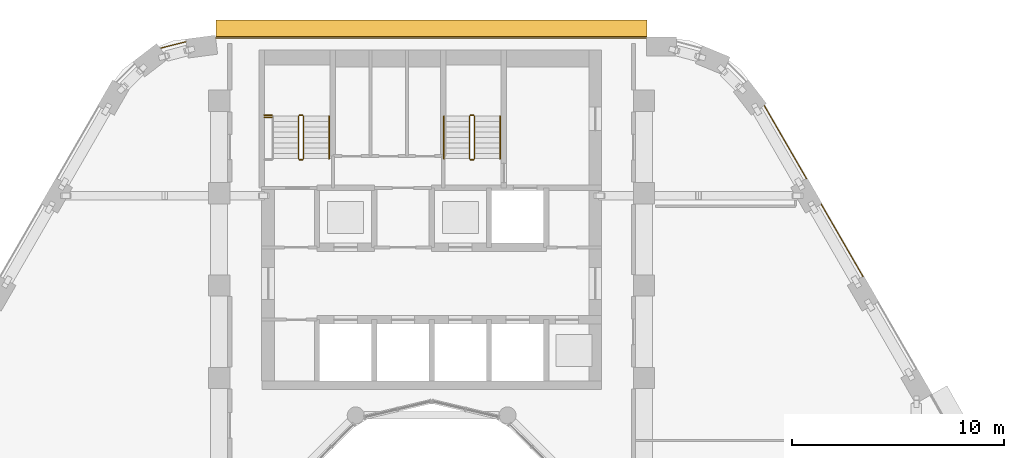
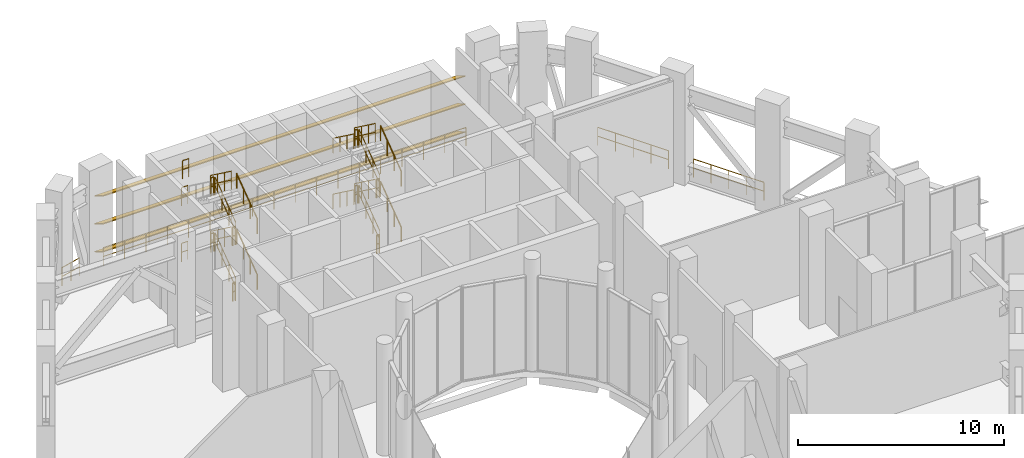
# One storey, part 19 of 21: 29 railings, 3 shading devices.
"""IFC4 building model written with IfcOpenShell, lengths in metres."""

import ifcopenshell
import ifcopenshell.guid

model = None  # the IFC model being written
_history = None  # IfcOwnerHistory: only IFC2X3 demands one
_inside = {}  # id of a spatial element -> (the spatial element, [elements in it])
_under = {}  # id of a project, library or spatial element -> (it, [spatial elements below it])
_declared = {}  # id of a project -> (the project, [libraries it declares])
_typed = {}  # id of a type object -> (the type object, [elements of that type])
_made_of = {}  # id of a material, layer set ... -> (it, [elements and type objects made of it])


def new_model(schema):
    """Start an empty IFC model of exactly this schema.

    Asked for "IFC4X3", IfcOpenShell would pick the latest addendum, in which some entities
    have other attributes; the version numbers below select the first issue.
    IFC2X3 requires an IfcOwnerHistory on every rooted entity: one is made here for all.
    """
    global model, _history
    if schema == "IFC4X3":
        model = ifcopenshell.file(schema_version=(4, 3, 0, 0))
    else:
        model = ifcopenshell.file(schema=schema)
    _inside.clear()
    _under.clear()
    _declared.clear()
    _typed.clear()
    _made_of.clear()
    _history = None
    if model.schema == "IFC2X3":
        org = make("IfcOrganization", Name="unknown")
        user = make(
            "IfcPersonAndOrganization",
            ThePerson=make("IfcPerson", FamilyName="unknown"),
            TheOrganization=org,
        )
        app = make(
            "IfcApplication",
            ApplicationDeveloper=org,
            Version="unknown",
            ApplicationFullName="unknown",
            ApplicationIdentifier="unknown",
        )
        _history = make(
            "IfcOwnerHistory",
            OwningUser=user,
            OwningApplication=app,
            ChangeAction="ADDED",
            CreationDate=0,
        )
    return model


def make(cls, **values):
    """One entity of the class cls with the attributes given. An attribute that is None is left unset."""
    return model.create_entity(
        cls, **{name: value for name, value in values.items() if value is not None}
    )


def rooted(cls, **values):
    """An entity with a GlobalId (a new one), such as an element, a storey or a relation."""
    return make(cls, GlobalId=ifcopenshell.guid.new(), OwnerHistory=_history, **values)


def si_unit(unit_type, name, prefix=None):
    """IfcSIUnit, for example si_unit("LENGTHUNIT", "METRE", prefix="MILLI")."""
    return make("IfcSIUnit", UnitType=unit_type, Prefix=prefix, Name=name)


def assignment(units):
    """IfcUnitAssignment: the units of a project."""
    return None if units is None else make("IfcUnitAssignment", Units=units)


def point(xyz):
    """IfcCartesianPoint."""
    return None if xyz is None else make("IfcCartesianPoint", Coordinates=xyz)


def direction(xyz):
    """IfcDirection."""
    return None if xyz is None else make("IfcDirection", DirectionRatios=xyz)


def frame(location, z_axis=None, x_axis=None):
    """IfcAxis2Placement3D, a coordinate frame: its origin and axes. An axis left out is left unset."""
    return make(
        "IfcAxis2Placement3D",
        Location=point(location),
        Axis=direction(z_axis),
        RefDirection=direction(x_axis),
    )


def frame_2d(location, x_axis=None):
    """IfcAxis2Placement2D, a coordinate frame in the plane: its origin and x axis."""
    return make(
        "IfcAxis2Placement2D", Location=point(location), RefDirection=direction(x_axis)
    )


def origin():
    """The frame at (0, 0, 0) with its axes left unset."""
    return frame((0.0, 0.0, 0.0))


def origin_2d():
    """The frame at (0, 0) in the plane with its x axis left unset."""
    return frame_2d((0.0, 0.0))


def place(relative_to, where):
    """IfcLocalPlacement: puts the frame where relative to a parent placement (None: the world)."""
    return make(
        "IfcLocalPlacement", PlacementRelTo=relative_to, RelativePlacement=where
    )


def context(
    kind, dimensions, precision=None, world=None, true_north=None, identifier=None
):
    """IfcGeometricRepresentationContext, for example the 3D "Model" context."""
    return make(
        "IfcGeometricRepresentationContext",
        ContextIdentifier=identifier,
        ContextType=kind,
        CoordinateSpaceDimension=dimensions,
        Precision=precision,
        WorldCoordinateSystem=world,
        TrueNorth=true_north,
    )


def subcontext(parent, identifier, kind, view, scale=None):
    """IfcGeometricRepresentationSubContext, for example "Body" below "Model"."""
    return make(
        "IfcGeometricRepresentationSubContext",
        ContextIdentifier=identifier,
        ContextType=kind,
        ParentContext=parent,
        TargetScale=scale,
        TargetView=view,
    )


def project(units=None, contexts=None):
    """IfcProject with its units and contexts."""
    return rooted(
        "IfcProject",
        Name="project",
        RepresentationContexts=contexts,
        UnitsInContext=assignment(units),
    )


def spatial(cls, under=None, at=None, **own):
    """A site, building, storey or space (cls), placed at a placement, below another one or the project."""
    s = rooted(cls, ObjectPlacement=at, **own)
    if under is not None:
        _under.setdefault(under.id(), (under, []))[1].append(s)
    return s


def profile(cls, at=None, kind="AREA", **sizes):
    """A parametric profile (cls). Its sizes go by their IFC names, for example OverallWidth=200.0."""
    return make(cls, ProfileType=kind, Position=at, **sizes)


def rectangle(**sizes):
    """IfcRectangleProfileDef."""
    return profile("IfcRectangleProfileDef", **sizes)


def circle(**sizes):
    """IfcCircleProfileDef."""
    return profile("IfcCircleProfileDef", **sizes)


def extrude(swept, where, along, depth):
    """IfcExtrudedAreaSolid: the profile swept, set in the frame where, extruded along a direction by depth."""
    return make(
        "IfcExtrudedAreaSolid",
        SweptArea=swept,
        Position=where,
        ExtrudedDirection=direction(along),
        Depth=depth,
    )


def shape(context_of_items, identifier, shape_type, items):
    """IfcShapeRepresentation: the items that make up one representation, for example the "Body"."""
    return make(
        "IfcShapeRepresentation",
        ContextOfItems=context_of_items,
        RepresentationIdentifier=identifier,
        RepresentationType=shape_type,
        Items=items,
    )


def material(Name=None, Category=None):
    """IfcMaterial."""
    return make("IfcMaterial", Name=Name, Category=Category)


def material_profile(
    of_material, cross_section, Name=None, Category=None, Priority=None
):
    """IfcMaterialProfile: a cross section and its material."""
    return make(
        "IfcMaterialProfile",
        Name=Name,
        Material=of_material,
        Profile=cross_section,
        Priority=Priority,
        Category=Category,
    )


def profile_set(profiles, Name=None, composite=None):
    """IfcMaterialProfileSet."""
    return make(
        "IfcMaterialProfileSet",
        Name=Name,
        MaterialProfiles=profiles,
        CompositeProfile=composite,
    )


def made_of(thing, what):
    """Note that an element or type object is made of a material, layer set ...; save() writes the relation."""
    if what is not None:
        _made_of.setdefault(what.id(), (what, []))[1].append(thing)
    return thing


def type_object(cls, material=None, **own):
    """A type object (cls), such as IfcWallType, which elements share."""
    return made_of(rooted(cls, **own), material)


def element(
    cls,
    number,
    at=None,
    inside=None,
    cuts=None,
    type_object=None,
    material=None,
    context=None,
    identifier="Body",
    shape_type=None,
    held_by="IfcProductDefinitionShape",
    body=None,
    shapes=None,
    **own,
):
    """One element of the class cls, such as IfcWall. Its Tag is "e" and its number.

    at: its placement. inside: the storey or other place that contains it. cuts: it is an
    opening in that element (IfcRelVoidsElement). A single representation is given by context,
    identifier, shape_type and body (its items); several are given by shapes. held_by: the class
    of the entity that holds the representations. save() writes the other relations.
    """
    e = rooted(cls, Tag="e%d" % number, ObjectPlacement=at, **own)
    if body is not None:
        shapes = [shape(context, identifier, shape_type, body)]
    if shapes is not None:
        e.Representation = make(held_by, Representations=shapes)
    if inside is not None:
        _inside.setdefault(inside.id(), (inside, []))[1].append(e)
    if cuts is not None:
        rooted(
            "IfcRelVoidsElement", RelatingBuildingElement=cuts, RelatedOpeningElement=e
        )
    if type_object is not None:
        _typed.setdefault(type_object.id(), (type_object, []))[1].append(e)
    return made_of(e, material)


def aggregate(whole, parts):
    """IfcRelAggregates: a whole, such as a stair, and the parts it consists of."""
    return rooted("IfcRelAggregates", RelatingObject=whole, RelatedObjects=parts)


def save(model, path):
    """Write the relations noted so far, then the file.

    IfcRelAggregates (storeys below a building ...), IfcRelContainedInSpatialStructure (elements
    in a storey), IfcRelDefinesByType, IfcRelAssociatesMaterial and IfcRelDeclares: one each for
    every whole, place, type object, material and project.
    """
    for whole, parts in _under.values():
        aggregate(whole, parts)
    for where, things in _inside.values():
        rooted(
            "IfcRelContainedInSpatialStructure",
            RelatedElements=things,
            RelatingStructure=where,
        )
    for kind, things in _typed.values():
        rooted("IfcRelDefinesByType", RelatedObjects=things, RelatingType=kind)
    for what, things in _made_of.values():
        rooted("IfcRelAssociatesMaterial", RelatedObjects=things, RelatingMaterial=what)
    for by, libraries in _declared.values():
        rooted("IfcRelDeclares", RelatingContext=by, RelatedDefinitions=libraries)
    model.write(path)


model = new_model("IFC4")

# Units and contexts
model_context = context("Model", 3, precision=1e-05, world=origin(), true_north=direction((0.0, 1.0)))
body_context = subcontext(model_context, "Body", "Model", "MODEL_VIEW")
ifc_project = project(units=[si_unit("LENGTHUNIT", "METRE"), si_unit("AREAUNIT", "SQUARE_METRE"), si_unit("VOLUMEUNIT", "CUBIC_METRE"), si_unit("PLANEANGLEUNIT", "RADIAN"), si_unit("MASSUNIT", "GRAM", prefix="KILO")], contexts=[model_context])

# Site, building, storey
site_placement = place(None, origin())
site = spatial("IfcSite", under=ifc_project, at=site_placement, CompositionType="ELEMENT")
building_placement = place(site_placement, origin())
building = spatial("IfcBuilding", under=site, at=building_placement, Name="Nakaniwa Court", CompositionType="ELEMENT")
storey_placement = place(building_placement, frame((0.0, 0.0, 120.60009765625)))
storey = spatial("IfcBuildingStorey", under=building, at=storey_placement, Name="S2", CompositionType="ELEMENT", Elevation=120.60009765625)

# Railings
ifc_material_1 = material(Name="Black powder-coated steel flat bar balustrade S275", Category="steel")
railing_type_1 = type_object("IfcRailingType", Name="Black metal terrace guard 1100", PredefinedType="GUARDRAIL", material=ifc_material_1)
railing_1_placement = place(storey_placement, frame((100.306884765625, 92.7275390625, 0.0)))
element("IfcRailing", 1, at=railing_1_placement, inside=storey, type_object=railing_type_1, Name="S2 refuge band guard 04", PredefinedType="GUARDRAIL", context=body_context, shape_type="SweptSolid", body=[
    extrude(circle(Radius=0.02392578125, at=origin_2d()), frame((0.0, 0.0, 1.076171875), z_axis=(-0.500003583557, 0.866023334807, 0.0), x_axis=(-0.866023334807, -0.500003583557, 0.0)), (0.0, 0.0, 1.0), 3.93408203125),
    extrude(circle(Radius=0.02392578125, at=origin_2d()), frame((0.0, 0.0, 0.550048828125), z_axis=(-0.500003583557, 0.866023334807, 0.0), x_axis=(-0.866023334807, -0.500003583557, 0.0)), (0.0, 0.0, 1.0), 3.93408203125),
    extrude(circle(Radius=0.02099609375, at=origin_2d()), origin(), (0.0, 0.0, 1.0), 1.052001953125),
    extrude(circle(Radius=0.02099609375, at=origin_2d()), frame((-0.49169921875, 0.851806640625, 0.0)), (0.0, 0.0, 1.0), 1.052001953125),
    extrude(circle(Radius=0.02099609375, at=origin_2d()), frame((-0.9833984375, 1.70361328125, 0.0)), (0.0, 0.0, 1.0), 1.052001953125),
    extrude(circle(Radius=0.02099609375, at=origin_2d()), frame((-1.475341796875, 2.55517578125, 0.0)), (0.0, 0.0, 1.0), 1.052001953125),
    extrude(circle(Radius=0.02099609375, at=origin_2d()), frame((-1.967041015625, 3.406982421875, 0.0)), (0.0, 0.0, 1.0), 1.052001953125),
])
railing_2_placement = place(storey_placement, frame((97.643798828125, 97.33984375, 0.0)))
element("IfcRailing", 2, at=railing_2_placement, inside=storey, type_object=railing_type_1, Name="S2 refuge band guard 05", PredefinedType="GUARDRAIL", context=body_context, shape_type="SweptSolid", body=[
    extrude(circle(Radius=0.02392578125, at=origin_2d()), frame((0.0, 0.0, 1.076171875), z_axis=(-0.499997676703, 0.866026745137, 0.0), x_axis=(-0.866026745137, -0.499997676703, 0.0)), (0.0, 0.0, 1.0), 3.96728515625),
    extrude(circle(Radius=0.02392578125, at=origin_2d()), frame((0.0, 0.0, 0.550048828125), z_axis=(-0.499997676703, 0.866026745137, 0.0), x_axis=(-0.866026745137, -0.499997676703, 0.0)), (0.0, 0.0, 1.0), 3.96728515625),
    extrude(circle(Radius=0.02099609375, at=origin_2d()), origin(), (0.0, 0.0, 1.0), 1.052001953125),
    extrude(circle(Radius=0.02099609375, at=origin_2d()), frame((-0.495849609375, 0.85888671875, 0.0)), (0.0, 0.0, 1.0), 1.052001953125),
    extrude(circle(Radius=0.02099609375, at=origin_2d()), frame((-0.99169921875, 1.7177734375, 0.0)), (0.0, 0.0, 1.0), 1.052001953125),
    extrude(circle(Radius=0.02099609375, at=origin_2d()), frame((-1.48779296875, 2.576904296875, 0.0)), (0.0, 0.0, 1.0), 1.052001953125),
    extrude(circle(Radius=0.02099609375, at=origin_2d()), frame((-1.983642578125, 3.435791015625, 0.0)), (0.0, 0.0, 1.0), 1.052001953125),
])
railing_3_placement = place(storey_placement, frame((90.128662109375, 103.949951171875, 0.0)))
element("IfcRailing", 3, at=railing_3_placement, inside=storey, type_object=railing_type_1, Name="S2 refuge band guard 08", PredefinedType="GUARDRAIL", context=body_context, shape_type="SweptSolid", body=[
    extrude(circle(Radius=0.02392578125, at=origin_2d()), frame((0.0, 0.0, 1.076171875), z_axis=(-1.0, 0.0, 0.0), x_axis=(0.0, -1.0, 0.0)), (0.0, 0.0, 1.0), 20.290771484375),
    extrude(circle(Radius=0.02392578125, at=origin_2d()), frame((0.0, 0.0, 0.550048828125), z_axis=(-1.0, 0.0, 0.0), x_axis=(0.0, -1.0, 0.0)), (0.0, 0.0, 1.0), 20.290771484375),
    extrude(circle(Radius=0.02099609375, at=origin_2d()), origin(), (0.0, 0.0, 1.0), 1.052001953125),
    extrude(circle(Radius=0.02099609375, at=origin_2d()), frame((-1.193603515625, 0.0, 0.0)), (0.0, 0.0, 1.0), 1.052001953125),
    extrude(circle(Radius=0.02099609375, at=origin_2d()), frame((-2.38720703125, 0.0, 0.0)), (0.0, 0.0, 1.0), 1.052001953125),
    extrude(circle(Radius=0.02099609375, at=origin_2d()), frame((-3.580810546875, 0.0, 0.0)), (0.0, 0.0, 1.0), 1.052001953125),
    extrude(circle(Radius=0.02099609375, at=origin_2d()), frame((-4.7744140625, 0.0, 0.0)), (0.0, 0.0, 1.0), 1.052001953125),
    extrude(circle(Radius=0.02099609375, at=origin_2d()), frame((-5.9677734375, 0.0, 0.0)), (0.0, 0.0, 1.0), 1.052001953125),
    extrude(circle(Radius=0.02099609375, at=origin_2d()), frame((-7.161376953125, 0.0, 0.0)), (0.0, 0.0, 1.0), 1.052001953125),
    extrude(circle(Radius=0.02099609375, at=origin_2d()), frame((-8.35498046875, 0.0, 0.0)), (0.0, 0.0, 1.0), 1.052001953125),
    extrude(circle(Radius=0.02099609375, at=origin_2d()), frame((-9.548583984375, 0.0, 0.0)), (0.0, 0.0, 1.0), 1.052001953125),
    extrude(circle(Radius=0.02099609375, at=origin_2d()), frame((-10.7421875, 0.0, 0.0)), (0.0, 0.0, 1.0), 1.052001953125),
    extrude(circle(Radius=0.02099609375, at=origin_2d()), frame((-11.935791015625, 0.0, 0.0)), (0.0, 0.0, 1.0), 1.052001953125),
    extrude(circle(Radius=0.02099609375, at=origin_2d()), frame((-13.12939453125, 0.0, 0.0)), (0.0, 0.0, 1.0), 1.052001953125),
    extrude(circle(Radius=0.02099609375, at=origin_2d()), frame((-14.322998046875, 0.0, 0.0)), (0.0, 0.0, 1.0), 1.052001953125),
    extrude(circle(Radius=0.02099609375, at=origin_2d()), frame((-15.516357421875, 0.0, 0.0)), (0.0, 0.0, 1.0), 1.052001953125),
    extrude(circle(Radius=0.02099609375, at=origin_2d()), frame((-16.7099609375, 0.0, 0.0)), (0.0, 0.0, 1.0), 1.052001953125),
    extrude(circle(Radius=0.02099609375, at=origin_2d()), frame((-17.903564453125, 0.0, 0.0)), (0.0, 0.0, 1.0), 1.052001953125),
    extrude(circle(Radius=0.02099609375, at=origin_2d()), frame((-19.09716796875, 0.0, 0.0)), (0.0, 0.0, 1.0), 1.052001953125),
    extrude(circle(Radius=0.02099609375, at=origin_2d()), frame((-20.290771484375, 0.0, 0.0)), (0.0, 0.0, 1.0), 1.052001953125),
])
railing_4_placement = place(storey_placement, frame((68.43115234375, 103.780029296875, 0.0)))
element("IfcRailing", 4, at=railing_4_placement, inside=storey, type_object=railing_type_1, Name="S2 refuge band guard 09", PredefinedType="GUARDRAIL", context=body_context, shape_type="SweptSolid", body=[
    extrude(circle(Radius=0.02392578125, at=origin_2d()), frame((0.0, 0.0, 1.076171875), z_axis=(-0.969485113966, -0.245150186208, 0.0), x_axis=(0.245150186208, -0.969485113966, 0.0)), (0.0, 0.0, 1.0), 1.2080078125),
    extrude(circle(Radius=0.02392578125, at=origin_2d()), frame((0.0, 0.0, 0.550048828125), z_axis=(-0.969485113966, -0.245150186208, 0.0), x_axis=(0.245150186208, -0.969485113966, 0.0)), (0.0, 0.0, 1.0), 1.2080078125),
    extrude(circle(Radius=0.02099609375, at=origin_2d()), origin(), (0.0, 0.0, 1.0), 1.052001953125),
    extrude(circle(Radius=0.02099609375, at=origin_2d()), frame((-0.58544921875, -0.14794921875, 0.0)), (0.0, 0.0, 1.0), 1.052001953125),
    extrude(circle(Radius=0.02099609375, at=origin_2d()), frame((-1.171142578125, -0.296142578125, 0.0)), (0.0, 0.0, 1.0), 1.052001953125),
])

# Shading devices
ifc_material_2 = material(Name="Perforated charcoal ceramic louvre blade")
ifc_material_profile = material_profile(ifc_material_2, rectangle(XDim=0.89990234375, YDim=0.050048828125, at=origin_2d()), Name="Perforated ceramic louvre blade")
ifc_profile_set = profile_set([ifc_material_profile], Name="Perforated charcoal ceramic louvre blade")
shading_device_type = type_object("IfcShadingDeviceType", Name="Perforated ceramic louvre blade", PredefinedType="JALOUSIE", material=ifc_profile_set)
for number, where, z_axis, x_axis, name in (
    (5, (90.128662109375, 104.402099609375, 0.5498046875), (-1.0, 0.0, 0.0), (0.0, -0.866025403784, 0.5), "S2 perforated ceramic louvre blade s08 1"),
    (6, (90.128662109375, 104.402099609375, 2.199951171875), (-1.0, 0.0, 0.0), (0.0, -0.866025403784, 0.5), "S2 perforated ceramic louvre blade s08 2"),
    (7, (90.128662109375, 104.402099609375, 3.849853515625), (-1.0, 0.0, 0.0), (0.0, -0.866025403784, 0.5), "S2 perforated ceramic louvre blade s08 3"),
):
    element("IfcShadingDevice", number, at=place(storey_placement, frame(where, z_axis=z_axis, x_axis=x_axis)), inside=storey, type_object=shading_device_type, Name=name, PredefinedType="JALOUSIE", context=body_context, shape_type="SweptSolid", body=[
        extrude(rectangle(XDim=0.89990234375, YDim=0.050048828125, at=origin_2d()), origin(), (0.0, 0.0, 1.0), 20.290771484375),
    ])

# Railings
ifc_material_3 = material(Name="Black powder coated steel guard", Category="steel")
railing_type_2 = type_object("IfcRailingType", Name="Stair guard 1100", PredefinedType="GUARDRAIL", material=ifc_material_3)
railing_5_placement = place(storey_placement, frame((73.97509765625, 98.27490234375, 0.183349609375)))
element("IfcRailing", 8, at=railing_5_placement, inside=storey, type_object=railing_type_2, Name="S2 ST1 stair guard 1", PredefinedType="GUARDRAIL", context=body_context, shape_type="SweptSolid", body=[
    extrude(circle(Radius=0.02392578125, at=origin_2d()), frame((0.0, 0.0, 1.076171875), z_axis=(0.0, 0.806426902644, 0.591333789573), x_axis=(-1.0, 0.0, 0.0)), (0.0, 0.0, 1.0), 2.47998046875),
    extrude(circle(Radius=0.02392578125, at=origin_2d()), frame((0.0, 0.0, 0.550048828125), z_axis=(0.0, 0.806426902644, 0.591333789573), x_axis=(-1.0, 0.0, 0.0)), (0.0, 0.0, 1.0), 2.47998046875),
    extrude(circle(Radius=0.02099609375, at=origin_2d()), origin(), (0.0, 0.0, 1.0), 1.052001953125),
    extrude(circle(Radius=0.02099609375, at=origin_2d()), frame((0.0, 0.666748046875, 0.48876953125)), (0.0, 0.0, 1.0), 1.052001953125),
    extrude(circle(Radius=0.02099609375, at=origin_2d()), frame((0.0, 1.333251953125, 0.977783203125)), (0.0, 0.0, 1.0), 1.052001953125),
    extrude(circle(Radius=0.02099609375, at=origin_2d()), frame((0.0, 2.0, 1.466552734375)), (0.0, 0.0, 1.0), 1.052001953125),
])
railing_6_placement = place(storey_placement, frame((73.925048828125, 100.324951171875, 1.64990234375)))
element("IfcRailing", 9, at=railing_6_placement, inside=storey, type_object=railing_type_2, Name="S2 ST1 stair guard 2", PredefinedType="GUARDRAIL", context=body_context, shape_type="SweptSolid", body=[
    extrude(circle(Radius=0.02392578125, at=origin_2d()), frame((0.0, 0.0, 1.076171875), z_axis=(-1.0, 0.0, 0.0), x_axis=(0.0, -1.0, 0.0)), (0.0, 0.0, 1.0), 0.150146484375),
    extrude(circle(Radius=0.02392578125, at=origin_2d()), frame((0.0, 0.0, 0.550048828125), z_axis=(-1.0, 0.0, 0.0), x_axis=(0.0, -1.0, 0.0)), (0.0, 0.0, 1.0), 0.150146484375),
    extrude(circle(Radius=0.02099609375, at=origin_2d()), origin(), (0.0, 0.0, 1.0), 1.052001953125),
    extrude(circle(Radius=0.02099609375, at=origin_2d()), frame((-0.150146484375, 0.0, 0.0)), (0.0, 0.0, 1.0), 1.052001953125),
])
railing_7_placement = place(storey_placement, frame((73.72509765625, 100.27490234375, 1.833251953125)))
element("IfcRailing", 10, at=railing_7_placement, inside=storey, type_object=railing_type_2, Name="S2 ST1 stair guard 3", PredefinedType="GUARDRAIL", context=body_context, shape_type="SweptSolid", body=[
    extrude(circle(Radius=0.02392578125, at=origin_2d()), frame((0.0, 0.0, 1.076171875), z_axis=(0.0, -0.806426902644, 0.591333789573), x_axis=(1.0, 0.0, 0.0)), (0.0, 0.0, 1.0), 2.47998046875),
    extrude(circle(Radius=0.02392578125, at=origin_2d()), frame((0.0, 0.0, 0.550048828125), z_axis=(0.0, -0.806426902644, 0.591333789573), x_axis=(1.0, 0.0, 0.0)), (0.0, 0.0, 1.0), 2.47998046875),
    extrude(circle(Radius=0.02099609375, at=origin_2d()), origin(), (0.0, 0.0, 1.0), 1.052001953125),
    extrude(circle(Radius=0.02099609375, at=origin_2d()), frame((0.0, -0.666748046875, 0.48876953125)), (0.0, 0.0, 1.0), 1.052001953125),
    extrude(circle(Radius=0.02099609375, at=origin_2d()), frame((0.0, -1.333251953125, 0.977783203125)), (0.0, 0.0, 1.0), 1.052001953125),
    extrude(circle(Radius=0.02099609375, at=origin_2d()), frame((0.0, -2.0, 1.466552734375)), (0.0, 0.0, 1.0), 1.052001953125),
])
railing_8_placement = place(storey_placement, frame((73.925048828125, 98.22509765625, 3.2998046875)))
element("IfcRailing", 11, at=railing_8_placement, inside=storey, type_object=railing_type_2, Name="S2 ST1 stair guard 4", PredefinedType="GUARDRAIL", context=body_context, shape_type="SweptSolid", body=[
    extrude(circle(Radius=0.02392578125, at=origin_2d()), frame((0.0, 0.0, 1.076171875), z_axis=(-1.0, 0.0, 0.0), x_axis=(0.0, -1.0, 0.0)), (0.0, 0.0, 1.0), 0.150146484375),
    extrude(circle(Radius=0.02392578125, at=origin_2d()), frame((0.0, 0.0, 0.550048828125), z_axis=(-1.0, 0.0, 0.0), x_axis=(0.0, -1.0, 0.0)), (0.0, 0.0, 1.0), 0.150146484375),
    extrude(circle(Radius=0.02099609375, at=origin_2d()), origin(), (0.0, 0.0, 1.0), 1.052001953125),
    extrude(circle(Radius=0.02099609375, at=origin_2d()), frame((-0.150146484375, 0.0, 0.0)), (0.0, 0.0, 1.0), 1.052001953125),
])
railing_9_placement = place(storey_placement, frame((73.97509765625, 98.27490234375, 3.483154296875)))
element("IfcRailing", 12, at=railing_9_placement, inside=storey, type_object=railing_type_2, Name="S2 ST1 stair guard 5", PredefinedType="GUARDRAIL", context=body_context, shape_type="SweptSolid", body=[
    extrude(circle(Radius=0.02392578125, at=origin_2d()), frame((0.0, 0.0, 1.076171875), z_axis=(0.0, 0.806379959628, 0.591397802423), x_axis=(-1.0, 0.0, 0.0)), (0.0, 0.0, 1.0), 2.480224609375),
    extrude(circle(Radius=0.02392578125, at=origin_2d()), frame((0.0, 0.0, 0.550048828125), z_axis=(0.0, 0.806379959628, 0.591397802423), x_axis=(-1.0, 0.0, 0.0)), (0.0, 0.0, 1.0), 2.480224609375),
    extrude(circle(Radius=0.02099609375, at=origin_2d()), origin(), (0.0, 0.0, 1.0), 1.052001953125),
    extrude(circle(Radius=0.02099609375, at=origin_2d()), frame((0.0, 0.666748046875, 0.489013671875)), (0.0, 0.0, 1.0), 1.052001953125),
    extrude(circle(Radius=0.02099609375, at=origin_2d()), frame((0.0, 1.333251953125, 0.977783203125)), (0.0, 0.0, 1.0), 1.052001953125),
    extrude(circle(Radius=0.02099609375, at=origin_2d()), frame((0.0, 2.0, 1.466796875)), (0.0, 0.0, 1.0), 1.052001953125),
])
railing_10_placement = place(storey_placement, frame((73.925048828125, 100.324951171875, 4.949951171875)))
element("IfcRailing", 13, at=railing_10_placement, inside=storey, type_object=railing_type_2, Name="S2 ST1 stair guard 6", PredefinedType="GUARDRAIL", context=body_context, shape_type="SweptSolid", body=[
    extrude(circle(Radius=0.02392578125, at=origin_2d()), frame((0.0, 0.0, 1.076171875), z_axis=(-1.0, 0.0, 0.0), x_axis=(0.0, -1.0, 0.0)), (0.0, 0.0, 1.0), 0.150146484375),
    extrude(circle(Radius=0.02392578125, at=origin_2d()), frame((0.0, 0.0, 0.550048828125), z_axis=(-1.0, 0.0, 0.0), x_axis=(0.0, -1.0, 0.0)), (0.0, 0.0, 1.0), 0.150146484375),
    extrude(circle(Radius=0.02099609375, at=origin_2d()), origin(), (0.0, 0.0, 1.0), 1.052001953125),
    extrude(circle(Radius=0.02099609375, at=origin_2d()), frame((-0.150146484375, 0.0, 0.0)), (0.0, 0.0, 1.0), 1.052001953125),
])
railing_11_placement = place(storey_placement, frame((73.72509765625, 100.27490234375, 5.13330078125)))
element("IfcRailing", 14, at=railing_11_placement, inside=storey, type_object=railing_type_2, Name="S2 ST1 stair guard 7", PredefinedType="GUARDRAIL", context=body_context, shape_type="SweptSolid", body=[
    extrude(circle(Radius=0.02392578125, at=origin_2d()), frame((0.0, 0.0, 1.076171875), z_axis=(0.0, -0.806426902644, 0.591333789573), x_axis=(1.0, 0.0, 0.0)), (0.0, 0.0, 1.0), 2.47998046875),
    extrude(circle(Radius=0.02392578125, at=origin_2d()), frame((0.0, 0.0, 0.550048828125), z_axis=(0.0, -0.806426902644, 0.591333789573), x_axis=(1.0, 0.0, 0.0)), (0.0, 0.0, 1.0), 2.47998046875),
    extrude(circle(Radius=0.02099609375, at=origin_2d()), origin(), (0.0, 0.0, 1.0), 1.052001953125),
    extrude(circle(Radius=0.02099609375, at=origin_2d()), frame((0.0, -0.666748046875, 0.48876953125)), (0.0, 0.0, 1.0), 1.052001953125),
    extrude(circle(Radius=0.02099609375, at=origin_2d()), frame((0.0, -1.333251953125, 0.977783203125)), (0.0, 0.0, 1.0), 1.052001953125),
    extrude(circle(Radius=0.02099609375, at=origin_2d()), frame((0.0, -2.0, 1.466552734375)), (0.0, 0.0, 1.0), 1.052001953125),
])
railing_12_placement = place(storey_placement, frame((73.925048828125, 98.22509765625, 0.0)))
element("IfcRailing", 15, at=railing_12_placement, inside=storey, type_object=railing_type_2, Name="S2 ST1 stair guard 8", PredefinedType="GUARDRAIL", context=body_context, shape_type="SweptSolid", body=[
    extrude(circle(Radius=0.02392578125, at=origin_2d()), frame((0.0, 0.0, 1.076171875), z_axis=(-1.0, 0.0, 0.0), x_axis=(0.0, -1.0, 0.0)), (0.0, 0.0, 1.0), 0.150146484375),
    extrude(circle(Radius=0.02392578125, at=origin_2d()), frame((0.0, 0.0, 0.550048828125), z_axis=(-1.0, 0.0, 0.0), x_axis=(0.0, -1.0, 0.0)), (0.0, 0.0, 1.0), 0.150146484375),
    extrude(circle(Radius=0.02099609375, at=origin_2d()), origin(), (0.0, 0.0, 1.0), 1.052001953125),
    extrude(circle(Radius=0.02099609375, at=origin_2d()), frame((-0.150146484375, 0.0, 0.0)), (0.0, 0.0, 1.0), 1.052001953125),
])
for number, where, name in (
    (16, (72.125, 100.324951171875, 1.64990234375), "S2 ST1 landing side guard 1W"),
    (17, (72.125, 100.324951171875, 4.949951171875), "S2 ST1 landing side guard 3W"),
    (18, (72.125, 100.22509765625, 6.599853515625), "S2 ST1 floor edge guard 3W"),
):
    element("IfcRailing", number, at=place(storey_placement, frame(where)), inside=storey, type_object=railing_type_2, Name=name, PredefinedType="GUARDRAIL", context=body_context, shape_type="SweptSolid", body=[
        extrude(circle(Radius=0.02392578125, at=origin_2d()), frame((0.0, 0.0, 1.076171875), z_axis=(1.0, 0.0, 0.0), x_axis=(0.0, 1.0, 0.0)), (0.0, 0.0, 1.0), 0.35009765625),
        extrude(circle(Radius=0.02392578125, at=origin_2d()), frame((0.0, 0.0, 0.550048828125), z_axis=(1.0, 0.0, 0.0), x_axis=(0.0, 1.0, 0.0)), (0.0, 0.0, 1.0), 0.35009765625),
        extrude(circle(Radius=0.02099609375, at=origin_2d()), origin(), (0.0, 0.0, 1.0), 1.052001953125),
        extrude(circle(Radius=0.02099609375, at=origin_2d()), frame((0.35009765625, 0.0, 0.0)), (0.0, 0.0, 1.0), 1.052001953125),
    ])
railing_13_placement = place(storey_placement, frame((82.02490234375, 98.27490234375, 0.183349609375)))
element("IfcRailing", 19, at=railing_13_placement, inside=storey, type_object=railing_type_2, Name="S2 ST2 stair guard 1", PredefinedType="GUARDRAIL", context=body_context, shape_type="SweptSolid", body=[
    extrude(circle(Radius=0.02392578125, at=origin_2d()), frame((0.0, 0.0, 1.076171875), z_axis=(0.0, 0.806426902644, 0.591333789573), x_axis=(-1.0, 0.0, 0.0)), (0.0, 0.0, 1.0), 2.47998046875),
    extrude(circle(Radius=0.02392578125, at=origin_2d()), frame((0.0, 0.0, 0.550048828125), z_axis=(0.0, 0.806426902644, 0.591333789573), x_axis=(-1.0, 0.0, 0.0)), (0.0, 0.0, 1.0), 2.47998046875),
    extrude(circle(Radius=0.02099609375, at=origin_2d()), origin(), (0.0, 0.0, 1.0), 1.052001953125),
    extrude(circle(Radius=0.02099609375, at=origin_2d()), frame((0.0, 0.666748046875, 0.48876953125)), (0.0, 0.0, 1.0), 1.052001953125),
    extrude(circle(Radius=0.02099609375, at=origin_2d()), frame((0.0, 1.333251953125, 0.977783203125)), (0.0, 0.0, 1.0), 1.052001953125),
    extrude(circle(Radius=0.02099609375, at=origin_2d()), frame((0.0, 2.0, 1.466552734375)), (0.0, 0.0, 1.0), 1.052001953125),
])
railing_14_placement = place(storey_placement, frame((81.97509765625, 100.324951171875, 1.64990234375)))
element("IfcRailing", 20, at=railing_14_placement, inside=storey, type_object=railing_type_2, Name="S2 ST2 stair guard 2", PredefinedType="GUARDRAIL", context=body_context, shape_type="SweptSolid", body=[
    extrude(circle(Radius=0.02392578125, at=origin_2d()), frame((0.0, 0.0, 1.076171875), z_axis=(-1.0, 0.0, 0.0), x_axis=(0.0, -1.0, 0.0)), (0.0, 0.0, 1.0), 0.150146484375),
    extrude(circle(Radius=0.02392578125, at=origin_2d()), frame((0.0, 0.0, 0.550048828125), z_axis=(-1.0, 0.0, 0.0), x_axis=(0.0, -1.0, 0.0)), (0.0, 0.0, 1.0), 0.150146484375),
    extrude(circle(Radius=0.02099609375, at=origin_2d()), origin(), (0.0, 0.0, 1.0), 1.052001953125),
    extrude(circle(Radius=0.02099609375, at=origin_2d()), frame((-0.150146484375, 0.0, 0.0)), (0.0, 0.0, 1.0), 1.052001953125),
])
railing_15_placement = place(storey_placement, frame((81.77490234375, 100.27490234375, 1.833251953125)))
element("IfcRailing", 21, at=railing_15_placement, inside=storey, type_object=railing_type_2, Name="S2 ST2 stair guard 3", PredefinedType="GUARDRAIL", context=body_context, shape_type="SweptSolid", body=[
    extrude(circle(Radius=0.02392578125, at=origin_2d()), frame((0.0, 0.0, 1.076171875), z_axis=(0.0, -0.806426902644, 0.591333789573), x_axis=(1.0, 0.0, 0.0)), (0.0, 0.0, 1.0), 2.47998046875),
    extrude(circle(Radius=0.02392578125, at=origin_2d()), frame((0.0, 0.0, 0.550048828125), z_axis=(0.0, -0.806426902644, 0.591333789573), x_axis=(1.0, 0.0, 0.0)), (0.0, 0.0, 1.0), 2.47998046875),
    extrude(circle(Radius=0.02099609375, at=origin_2d()), origin(), (0.0, 0.0, 1.0), 1.052001953125),
    extrude(circle(Radius=0.02099609375, at=origin_2d()), frame((0.0, -0.666748046875, 0.48876953125)), (0.0, 0.0, 1.0), 1.052001953125),
    extrude(circle(Radius=0.02099609375, at=origin_2d()), frame((0.0, -1.333251953125, 0.977783203125)), (0.0, 0.0, 1.0), 1.052001953125),
    extrude(circle(Radius=0.02099609375, at=origin_2d()), frame((0.0, -2.0, 1.466552734375)), (0.0, 0.0, 1.0), 1.052001953125),
])
railing_16_placement = place(storey_placement, frame((81.97509765625, 98.22509765625, 3.2998046875)))
element("IfcRailing", 22, at=railing_16_placement, inside=storey, type_object=railing_type_2, Name="S2 ST2 stair guard 4", PredefinedType="GUARDRAIL", context=body_context, shape_type="SweptSolid", body=[
    extrude(circle(Radius=0.02392578125, at=origin_2d()), frame((0.0, 0.0, 1.076171875), z_axis=(-1.0, 0.0, 0.0), x_axis=(0.0, -1.0, 0.0)), (0.0, 0.0, 1.0), 0.150146484375),
    extrude(circle(Radius=0.02392578125, at=origin_2d()), frame((0.0, 0.0, 0.550048828125), z_axis=(-1.0, 0.0, 0.0), x_axis=(0.0, -1.0, 0.0)), (0.0, 0.0, 1.0), 0.150146484375),
    extrude(circle(Radius=0.02099609375, at=origin_2d()), origin(), (0.0, 0.0, 1.0), 1.052001953125),
    extrude(circle(Radius=0.02099609375, at=origin_2d()), frame((-0.150146484375, 0.0, 0.0)), (0.0, 0.0, 1.0), 1.052001953125),
])
railing_17_placement = place(storey_placement, frame((82.02490234375, 98.27490234375, 3.483154296875)))
element("IfcRailing", 23, at=railing_17_placement, inside=storey, type_object=railing_type_2, Name="S2 ST2 stair guard 5", PredefinedType="GUARDRAIL", context=body_context, shape_type="SweptSolid", body=[
    extrude(circle(Radius=0.02392578125, at=origin_2d()), frame((0.0, 0.0, 1.076171875), z_axis=(0.0, 0.806379959628, 0.591397802423), x_axis=(-1.0, 0.0, 0.0)), (0.0, 0.0, 1.0), 2.480224609375),
    extrude(circle(Radius=0.02392578125, at=origin_2d()), frame((0.0, 0.0, 0.550048828125), z_axis=(0.0, 0.806379959628, 0.591397802423), x_axis=(-1.0, 0.0, 0.0)), (0.0, 0.0, 1.0), 2.480224609375),
    extrude(circle(Radius=0.02099609375, at=origin_2d()), origin(), (0.0, 0.0, 1.0), 1.052001953125),
    extrude(circle(Radius=0.02099609375, at=origin_2d()), frame((0.0, 0.666748046875, 0.489013671875)), (0.0, 0.0, 1.0), 1.052001953125),
    extrude(circle(Radius=0.02099609375, at=origin_2d()), frame((0.0, 1.333251953125, 0.977783203125)), (0.0, 0.0, 1.0), 1.052001953125),
    extrude(circle(Radius=0.02099609375, at=origin_2d()), frame((0.0, 2.0, 1.466796875)), (0.0, 0.0, 1.0), 1.052001953125),
])
railing_18_placement = place(storey_placement, frame((81.97509765625, 100.324951171875, 4.949951171875)))
element("IfcRailing", 24, at=railing_18_placement, inside=storey, type_object=railing_type_2, Name="S2 ST2 stair guard 6", PredefinedType="GUARDRAIL", context=body_context, shape_type="SweptSolid", body=[
    extrude(circle(Radius=0.02392578125, at=origin_2d()), frame((0.0, 0.0, 1.076171875), z_axis=(-1.0, 0.0, 0.0), x_axis=(0.0, -1.0, 0.0)), (0.0, 0.0, 1.0), 0.150146484375),
    extrude(circle(Radius=0.02392578125, at=origin_2d()), frame((0.0, 0.0, 0.550048828125), z_axis=(-1.0, 0.0, 0.0), x_axis=(0.0, -1.0, 0.0)), (0.0, 0.0, 1.0), 0.150146484375),
    extrude(circle(Radius=0.02099609375, at=origin_2d()), origin(), (0.0, 0.0, 1.0), 1.052001953125),
    extrude(circle(Radius=0.02099609375, at=origin_2d()), frame((-0.150146484375, 0.0, 0.0)), (0.0, 0.0, 1.0), 1.052001953125),
])
railing_19_placement = place(storey_placement, frame((81.77490234375, 100.27490234375, 5.13330078125)))
element("IfcRailing", 25, at=railing_19_placement, inside=storey, type_object=railing_type_2, Name="S2 ST2 stair guard 7", PredefinedType="GUARDRAIL", context=body_context, shape_type="SweptSolid", body=[
    extrude(circle(Radius=0.02392578125, at=origin_2d()), frame((0.0, 0.0, 1.076171875), z_axis=(0.0, -0.806426902644, 0.591333789573), x_axis=(1.0, 0.0, 0.0)), (0.0, 0.0, 1.0), 2.47998046875),
    extrude(circle(Radius=0.02392578125, at=origin_2d()), frame((0.0, 0.0, 0.550048828125), z_axis=(0.0, -0.806426902644, 0.591333789573), x_axis=(1.0, 0.0, 0.0)), (0.0, 0.0, 1.0), 2.47998046875),
    extrude(circle(Radius=0.02099609375, at=origin_2d()), origin(), (0.0, 0.0, 1.0), 1.052001953125),
    extrude(circle(Radius=0.02099609375, at=origin_2d()), frame((0.0, -0.666748046875, 0.48876953125)), (0.0, 0.0, 1.0), 1.052001953125),
    extrude(circle(Radius=0.02099609375, at=origin_2d()), frame((0.0, -1.333251953125, 0.977783203125)), (0.0, 0.0, 1.0), 1.052001953125),
    extrude(circle(Radius=0.02099609375, at=origin_2d()), frame((0.0, -2.0, 1.466552734375)), (0.0, 0.0, 1.0), 1.052001953125),
])
railing_20_placement = place(storey_placement, frame((81.97509765625, 98.22509765625, 0.0)))
element("IfcRailing", 26, at=railing_20_placement, inside=storey, type_object=railing_type_2, Name="S2 ST2 stair guard 8", PredefinedType="GUARDRAIL", context=body_context, shape_type="SweptSolid", body=[
    extrude(circle(Radius=0.02392578125, at=origin_2d()), frame((0.0, 0.0, 1.076171875), z_axis=(-1.0, 0.0, 0.0), x_axis=(0.0, -1.0, 0.0)), (0.0, 0.0, 1.0), 0.150146484375),
    extrude(circle(Radius=0.02392578125, at=origin_2d()), frame((0.0, 0.0, 0.550048828125), z_axis=(-1.0, 0.0, 0.0), x_axis=(0.0, -1.0, 0.0)), (0.0, 0.0, 1.0), 0.150146484375),
    extrude(circle(Radius=0.02099609375, at=origin_2d()), origin(), (0.0, 0.0, 1.0), 1.052001953125),
    extrude(circle(Radius=0.02099609375, at=origin_2d()), frame((-0.150146484375, 0.0, 0.0)), (0.0, 0.0, 1.0), 1.052001953125),
])
ifc_material_4 = material(Name="Black powder coated steel handrail", Category="steel")
railing_type_3 = type_object("IfcRailingType", Name="Stair handrail 900", PredefinedType="HANDRAIL", material=ifc_material_4)
railing_21_placement = place(storey_placement, frame((75.175048828125, 98.27490234375, 0.183349609375)))
element("IfcRailing", 27, at=railing_21_placement, inside=storey, type_object=railing_type_3, Name="S2 ST1 stair handrail 1", PredefinedType="HANDRAIL", context=body_context, shape_type="SweptSolid", body=[
    extrude(circle(Radius=0.02392578125, at=origin_2d()), frame((0.0, 0.0, 0.8759765625), z_axis=(0.0, 0.806426902644, 0.591333789573), x_axis=(-1.0, 0.0, 0.0)), (0.0, 0.0, 1.0), 2.47998046875),
    extrude(circle(Radius=0.02099609375, at=origin_2d()), origin(), (0.0, 0.0, 1.0), 0.851806640625),
    extrude(circle(Radius=0.02099609375, at=origin_2d()), frame((0.0, 0.666748046875, 0.48876953125)), (0.0, 0.0, 1.0), 0.851806640625),
    extrude(circle(Radius=0.02099609375, at=origin_2d()), frame((0.0, 1.333251953125, 0.977783203125)), (0.0, 0.0, 1.0), 0.851806640625),
    extrude(circle(Radius=0.02099609375, at=origin_2d()), frame((0.0, 2.0, 1.466552734375)), (0.0, 0.0, 1.0), 0.851806640625),
])
railing_22_placement = place(storey_placement, frame((75.175048828125, 98.27490234375, 3.483154296875)))
element("IfcRailing", 28, at=railing_22_placement, inside=storey, type_object=railing_type_3, Name="S2 ST1 stair handrail 3", PredefinedType="HANDRAIL", context=body_context, shape_type="SweptSolid", body=[
    extrude(circle(Radius=0.02392578125, at=origin_2d()), frame((0.0, 0.0, 0.8759765625), z_axis=(0.0, 0.806379959628, 0.591397802423), x_axis=(-1.0, 0.0, 0.0)), (0.0, 0.0, 1.0), 2.480224609375),
    extrude(circle(Radius=0.02099609375, at=origin_2d()), origin(), (0.0, 0.0, 1.0), 0.851806640625),
    extrude(circle(Radius=0.02099609375, at=origin_2d()), frame((0.0, 0.666748046875, 0.489013671875)), (0.0, 0.0, 1.0), 0.851806640625),
    extrude(circle(Radius=0.02099609375, at=origin_2d()), frame((0.0, 1.333251953125, 0.977783203125)), (0.0, 0.0, 1.0), 0.851806640625),
    extrude(circle(Radius=0.02099609375, at=origin_2d()), frame((0.0, 2.0, 1.466796875)), (0.0, 0.0, 1.0), 0.851806640625),
])
railing_23_placement = place(storey_placement, frame((83.22509765625, 98.27490234375, 0.183349609375)))
element("IfcRailing", 29, at=railing_23_placement, inside=storey, type_object=railing_type_3, Name="S2 ST2 stair handrail 1", PredefinedType="HANDRAIL", context=body_context, shape_type="SweptSolid", body=[
    extrude(circle(Radius=0.02392578125, at=origin_2d()), frame((0.0, 0.0, 0.8759765625), z_axis=(0.0, 0.806426902644, 0.591333789573), x_axis=(-1.0, 0.0, 0.0)), (0.0, 0.0, 1.0), 2.47998046875),
    extrude(circle(Radius=0.02099609375, at=origin_2d()), origin(), (0.0, 0.0, 1.0), 0.851806640625),
    extrude(circle(Radius=0.02099609375, at=origin_2d()), frame((0.0, 0.666748046875, 0.48876953125)), (0.0, 0.0, 1.0), 0.851806640625),
    extrude(circle(Radius=0.02099609375, at=origin_2d()), frame((0.0, 1.333251953125, 0.977783203125)), (0.0, 0.0, 1.0), 0.851806640625),
    extrude(circle(Radius=0.02099609375, at=origin_2d()), frame((0.0, 2.0, 1.466552734375)), (0.0, 0.0, 1.0), 0.851806640625),
])
railing_24_placement = place(storey_placement, frame((80.574951171875, 100.27490234375, 1.833251953125)))
element("IfcRailing", 30, at=railing_24_placement, inside=storey, type_object=railing_type_3, Name="S2 ST2 stair handrail 2", PredefinedType="HANDRAIL", context=body_context, shape_type="SweptSolid", body=[
    extrude(circle(Radius=0.02392578125, at=origin_2d()), frame((0.0, 0.0, 0.8759765625), z_axis=(0.0, -0.806426902644, 0.591333789573), x_axis=(1.0, 0.0, 0.0)), (0.0, 0.0, 1.0), 2.47998046875),
    extrude(circle(Radius=0.02099609375, at=origin_2d()), origin(), (0.0, 0.0, 1.0), 0.851806640625),
    extrude(circle(Radius=0.02099609375, at=origin_2d()), frame((0.0, -0.666748046875, 0.48876953125)), (0.0, 0.0, 1.0), 0.851806640625),
    extrude(circle(Radius=0.02099609375, at=origin_2d()), frame((0.0, -1.333251953125, 0.977783203125)), (0.0, 0.0, 1.0), 0.851806640625),
    extrude(circle(Radius=0.02099609375, at=origin_2d()), frame((0.0, -2.0, 1.466552734375)), (0.0, 0.0, 1.0), 0.851806640625),
])
railing_25_placement = place(storey_placement, frame((83.22509765625, 98.27490234375, 3.483154296875)))
element("IfcRailing", 31, at=railing_25_placement, inside=storey, type_object=railing_type_3, Name="S2 ST2 stair handrail 3", PredefinedType="HANDRAIL", context=body_context, shape_type="SweptSolid", body=[
    extrude(circle(Radius=0.02392578125, at=origin_2d()), frame((0.0, 0.0, 0.8759765625), z_axis=(0.0, 0.806379959628, 0.591397802423), x_axis=(-1.0, 0.0, 0.0)), (0.0, 0.0, 1.0), 2.480224609375),
    extrude(circle(Radius=0.02099609375, at=origin_2d()), origin(), (0.0, 0.0, 1.0), 0.851806640625),
    extrude(circle(Radius=0.02099609375, at=origin_2d()), frame((0.0, 0.666748046875, 0.489013671875)), (0.0, 0.0, 1.0), 0.851806640625),
    extrude(circle(Radius=0.02099609375, at=origin_2d()), frame((0.0, 1.333251953125, 0.977783203125)), (0.0, 0.0, 1.0), 0.851806640625),
    extrude(circle(Radius=0.02099609375, at=origin_2d()), frame((0.0, 2.0, 1.466796875)), (0.0, 0.0, 1.0), 0.851806640625),
])
railing_26_placement = place(storey_placement, frame((80.574951171875, 100.27490234375, 5.13330078125)))
element("IfcRailing", 32, at=railing_26_placement, inside=storey, type_object=railing_type_3, Name="S2 ST2 stair handrail 4", PredefinedType="HANDRAIL", context=body_context, shape_type="SweptSolid", body=[
    extrude(circle(Radius=0.02392578125, at=origin_2d()), frame((0.0, 0.0, 0.8759765625), z_axis=(0.0, -0.806426902644, 0.591333789573), x_axis=(1.0, 0.0, 0.0)), (0.0, 0.0, 1.0), 2.47998046875),
    extrude(circle(Radius=0.02099609375, at=origin_2d()), origin(), (0.0, 0.0, 1.0), 0.851806640625),
    extrude(circle(Radius=0.02099609375, at=origin_2d()), frame((0.0, -0.666748046875, 0.48876953125)), (0.0, 0.0, 1.0), 0.851806640625),
    extrude(circle(Radius=0.02099609375, at=origin_2d()), frame((0.0, -1.333251953125, 0.977783203125)), (0.0, 0.0, 1.0), 0.851806640625),
    extrude(circle(Radius=0.02099609375, at=origin_2d()), frame((0.0, -2.0, 1.466552734375)), (0.0, 0.0, 1.0), 0.851806640625),
])

save(model, "model.ifc")
